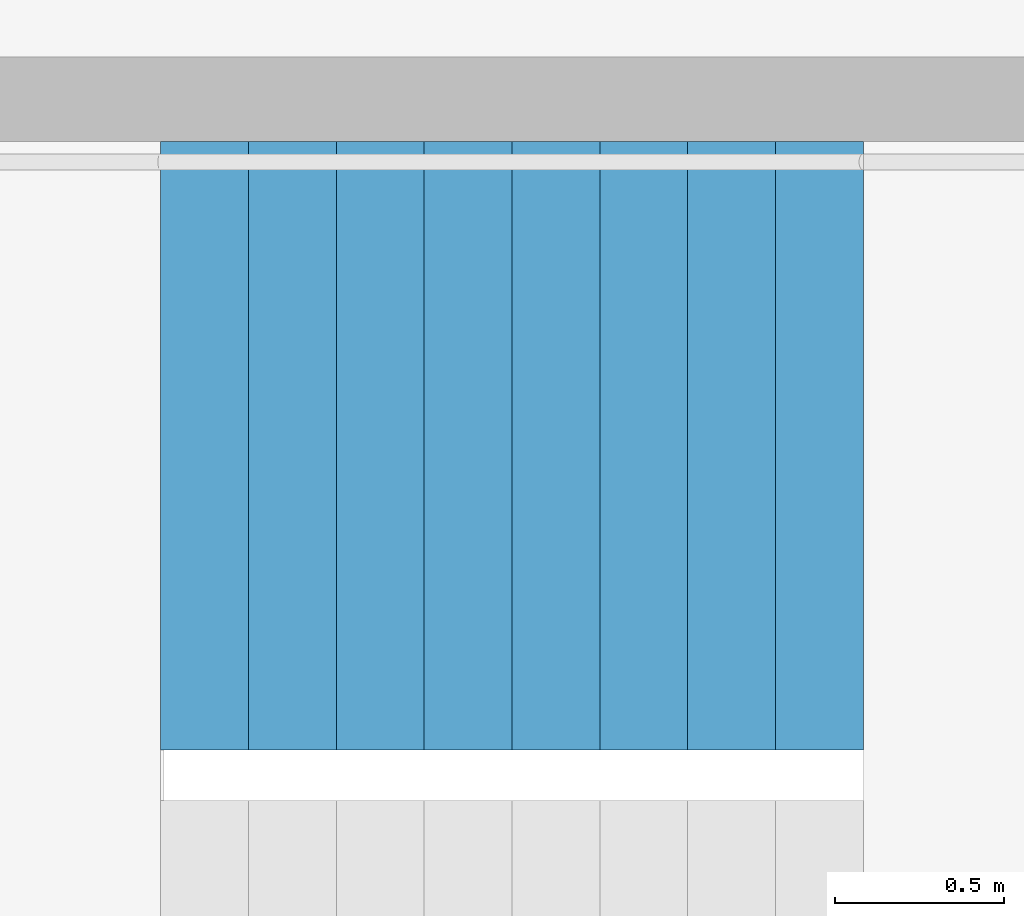
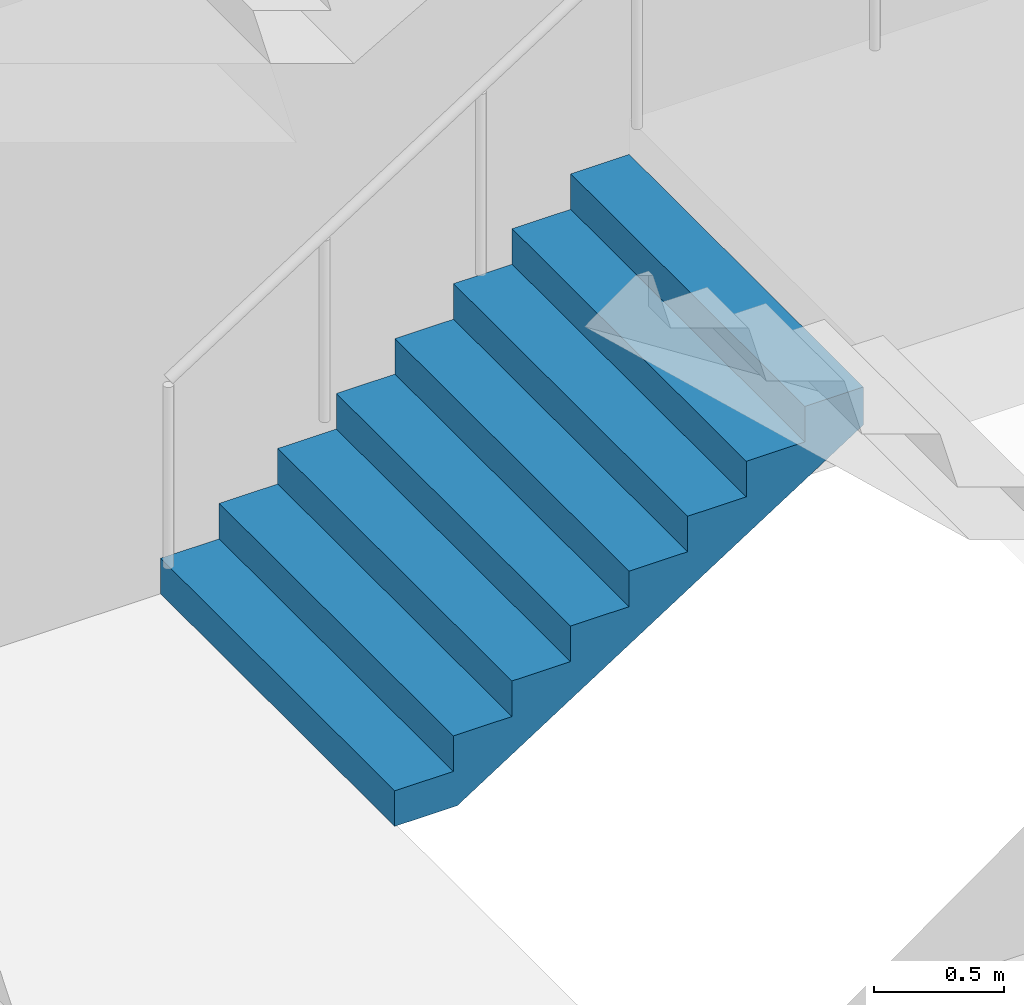
# One storey, part 28 of 35: 1 stair flight, 1 element without a shape of its own.
"""IFC4 building model written with IfcOpenShell, lengths in metres."""

from ifc_helpers import new_model, si_unit, direction, frame, origin, place, context, subcontext, project, spatial, triangles, material, type_object, element, aggregate, save


model = new_model("IFC4")

# Units and contexts
model_context = context("Model", 3, precision=1e-05, world=origin(), true_north=direction((0.0, 1.0)))
body_context = subcontext(model_context, "Body", "Model", "MODEL_VIEW")
ifc_project = project(units=[si_unit("LENGTHUNIT", "METRE"), si_unit("AREAUNIT", "SQUARE_METRE"), si_unit("VOLUMEUNIT", "CUBIC_METRE"), si_unit("PLANEANGLEUNIT", "RADIAN"), si_unit("MASSUNIT", "GRAM", prefix="KILO")], contexts=[model_context])

# Site, building, storey
site_placement = place(None, origin())
site = spatial("IfcSite", under=ifc_project, at=site_placement, CompositionType="ELEMENT")
building_placement = place(site_placement, origin())
building = spatial("IfcBuilding", under=site, at=building_placement, Name="Hakoniwa Tower and Hamabe Station Hall", CompositionType="ELEMENT")
storey_placement = place(building_placement, frame((0.0, 0.0, 270.60009765625)))
storey = spatial("IfcBuildingStorey", under=building, at=storey_placement, Name="L76", CompositionType="ELEMENT", Elevation=270.60009765625)

# Stair, stair flight
ifc_material_1 = material(Name="Concrete C40", Category="concrete")
stair_type = type_object("IfcStairType", Name="ESCAPE STAIR 1800", PredefinedType="HALF_TURN_STAIR", material=ifc_material_1)
stair_placement = place(storey_placement, origin())
stair = element("IfcStair", 1, at=stair_placement, inside=storey, type_object=stair_type, Name="Escape stair ST-4 L76", PredefinedType="HALF_TURN_STAIR")
ifc_material_2 = material(Name="Concrete C40", Category="concrete")
stair_flight_type = type_object("IfcStairFlightType", Name="STAIR FLIGHT 1800", PredefinedType="STRAIGHT", material=ifc_material_2)
stair_flight_placement = place(storey_placement, frame((23.39990234375, -4.64990234375, 0.0), z_axis=(0.0, 0.0, 1.0), x_axis=(1.0, 0.0, 0.0)))
stair_flight = element("IfcStairFlight", 2, at=stair_flight_placement, type_object=stair_flight_type, Name="ST-4 flight 1", NumberOfRisers=9, NumberOfTreads=8, PredefinedType="STRAIGHT", RiserHeight=0.166666667, TreadLength=0.26, context=body_context, shape_type="Tessellation", body=[
    triangles([(0.0, 0.89990234375, 0.0), (0.260009765625, 0.89990234375, 0.0), (0.27783203125, 0.89990234375, 0.0), (0.52001953125, 0.89990234375, 0.1552734375), (0.780029296875, 0.89990234375, 0.322021484375), (1.0400390625, 0.89990234375, 0.488525390625), (1.300048828125, 0.89990234375, 0.6552734375), (1.56005859375, 0.89990234375, 0.822021484375), (1.820068359375, 0.89990234375, 0.988525390625), (2.080078125, 0.89990234375, 1.1552734375), (2.080078125, 0.89990234375, 1.333251953125), (1.820068359375, 0.89990234375, 1.333251953125), (1.820068359375, 0.89990234375, 1.166748046875), (1.56005859375, 0.89990234375, 1.166748046875), (1.56005859375, 0.89990234375, 1.0), (1.300048828125, 0.89990234375, 1.0), (1.300048828125, 0.89990234375, 0.833251953125), (1.0400390625, 0.89990234375, 0.833251953125), (1.0400390625, 0.89990234375, 0.666748046875), (0.780029296875, 0.89990234375, 0.666748046875), (0.780029296875, 0.89990234375, 0.5), (0.52001953125, 0.89990234375, 0.5), (0.52001953125, 0.89990234375, 0.333251953125), (0.27783203125, 0.89990234375, 0.333251953125), (0.260009765625, 0.89990234375, 0.333251953125), (0.260009765625, 0.89990234375, 0.166748046875), (0.0, 0.89990234375, 0.166748046875), (0.0, 0.06005859375, 0.0), (0.260009765625, 0.06005859375, 0.0), (0.27783203125, 0.06005859375, 0.0), (0.52001953125, 0.06005859375, 0.1552734375), (0.780029296875, 0.06005859375, 0.322021484375), (1.0400390625, 0.06005859375, 0.488525390625), (1.300048828125, 0.06005859375, 0.6552734375), (1.56005859375, 0.06005859375, 0.822021484375), (1.820068359375, 0.06005859375, 0.988525390625), (2.080078125, 0.06005859375, 1.1552734375), (2.080078125, 0.06005859375, 1.333251953125), (1.820068359375, 0.06005859375, 1.333251953125), (1.820068359375, 0.06005859375, 1.166748046875), (1.56005859375, 0.06005859375, 1.166748046875), (1.56005859375, 0.06005859375, 1.0), (1.300048828125, 0.06005859375, 1.0), (1.300048828125, 0.06005859375, 0.833251953125), (1.0400390625, 0.06005859375, 0.833251953125), (1.0400390625, 0.06005859375, 0.666748046875), (0.780029296875, 0.06005859375, 0.666748046875), (0.780029296875, 0.06005859375, 0.5), (0.52001953125, 0.06005859375, 0.5), (0.52001953125, 0.06005859375, 0.333251953125), (0.27783203125, 0.06005859375, 0.333251953125), (0.260009765625, 0.06005859375, 0.333251953125), (0.260009765625, 0.06005859375, 0.166748046875), (0.0, 0.06005859375, 0.166748046875), (0.0, 0.04296875, 0.0), (0.260009765625, 0.04296875, 0.0), (0.27783203125, 0.04296875, 0.0), (0.52001953125, 0.04296875, 0.1552734375), (0.780029296875, 0.04296875, 0.322021484375), (1.0400390625, 0.04296875, 0.488525390625), (1.300048828125, 0.04296875, 0.6552734375), (1.56005859375, 0.04296875, 0.822021484375), (1.820068359375, 0.04296875, 0.988525390625), (2.080078125, 0.04296875, 1.1552734375), (2.080078125, 0.04296875, 1.333251953125), (1.820068359375, 0.04296875, 1.333251953125), (1.820068359375, 0.04296875, 1.166748046875), (1.56005859375, 0.04296875, 1.166748046875), (1.56005859375, 0.04296875, 1.0), (1.300048828125, 0.04296875, 1.0), (1.300048828125, 0.04296875, 0.833251953125), (1.0400390625, 0.04296875, 0.833251953125), (1.0400390625, 0.04296875, 0.666748046875), (0.780029296875, 0.04296875, 0.666748046875), (0.780029296875, 0.04296875, 0.5), (0.52001953125, 0.04296875, 0.5), (0.52001953125, 0.04296875, 0.333251953125), (0.27783203125, 0.04296875, 0.333251953125), (0.260009765625, 0.04296875, 0.333251953125), (0.260009765625, 0.04296875, 0.166748046875), (0.0, 0.04296875, 0.166748046875), (0.0, 0.025634765625, 0.0), (0.260009765625, 0.025634765625, 0.0), (0.27783203125, 0.025634765625, 0.0), (0.52001953125, 0.025634765625, 0.1552734375), (0.780029296875, 0.025634765625, 0.322021484375), (1.0400390625, 0.025634765625, 0.488525390625), (1.300048828125, 0.025634765625, 0.6552734375), (1.56005859375, 0.025634765625, 0.822021484375), (1.820068359375, 0.025634765625, 0.988525390625), (2.080078125, 0.025634765625, 1.1552734375), (2.080078125, 0.025634765625, 1.333251953125), (1.820068359375, 0.025634765625, 1.333251953125), (1.820068359375, 0.025634765625, 1.166748046875), (1.56005859375, 0.025634765625, 1.166748046875), (1.56005859375, 0.025634765625, 1.0), (1.300048828125, 0.025634765625, 1.0), (1.300048828125, 0.025634765625, 0.833251953125), (1.0400390625, 0.025634765625, 0.833251953125), (1.0400390625, 0.025634765625, 0.666748046875), (0.780029296875, 0.025634765625, 0.666748046875), (0.780029296875, 0.025634765625, 0.5), (0.52001953125, 0.025634765625, 0.5), (0.52001953125, 0.025634765625, 0.333251953125), (0.27783203125, 0.025634765625, 0.333251953125), (0.260009765625, 0.025634765625, 0.333251953125), (0.260009765625, 0.025634765625, 0.166748046875), (0.0, 0.025634765625, 0.166748046875), (0.0, 0.008544921875, 0.0), (0.260009765625, 0.008544921875, 0.0), (0.27783203125, 0.008544921875, 0.0), (0.52001953125, 0.008544921875, 0.1552734375), (0.780029296875, 0.008544921875, 0.322021484375), (1.0400390625, 0.008544921875, 0.488525390625), (1.300048828125, 0.008544921875, 0.6552734375), (1.56005859375, 0.008544921875, 0.822021484375), (1.820068359375, 0.008544921875, 0.988525390625), (2.080078125, 0.008544921875, 1.1552734375), (2.080078125, 0.008544921875, 1.333251953125), (1.820068359375, 0.008544921875, 1.333251953125), (1.820068359375, 0.008544921875, 1.166748046875), (1.56005859375, 0.008544921875, 1.166748046875), (1.56005859375, 0.008544921875, 1.0), (1.300048828125, 0.008544921875, 1.0), (1.300048828125, 0.008544921875, 0.833251953125), (1.0400390625, 0.008544921875, 0.833251953125), (1.0400390625, 0.008544921875, 0.666748046875), (0.780029296875, 0.008544921875, 0.666748046875), (0.780029296875, 0.008544921875, 0.5), (0.52001953125, 0.008544921875, 0.5), (0.52001953125, 0.008544921875, 0.333251953125), (0.27783203125, 0.008544921875, 0.333251953125), (0.260009765625, 0.008544921875, 0.333251953125), (0.260009765625, 0.008544921875, 0.166748046875), (0.0, 0.008544921875, 0.166748046875), (0.0, -0.008544921875, 0.0), (0.260009765625, -0.008544921875, 0.0), (0.27783203125, -0.008544921875, 0.0), (0.52001953125, -0.008544921875, 0.1552734375), (0.780029296875, -0.008544921875, 0.322021484375), (1.0400390625, -0.008544921875, 0.488525390625), (1.300048828125, -0.008544921875, 0.6552734375), (1.56005859375, -0.008544921875, 0.822021484375), (1.820068359375, -0.008544921875, 0.988525390625), (2.080078125, -0.008544921875, 1.1552734375), (2.080078125, -0.008544921875, 1.333251953125), (1.820068359375, -0.008544921875, 1.333251953125), (1.820068359375, -0.008544921875, 1.166748046875), (1.56005859375, -0.008544921875, 1.166748046875), (1.56005859375, -0.008544921875, 1.0), (1.300048828125, -0.008544921875, 1.0), (1.300048828125, -0.008544921875, 0.833251953125), (1.0400390625, -0.008544921875, 0.833251953125), (1.0400390625, -0.008544921875, 0.666748046875), (0.780029296875, -0.008544921875, 0.666748046875), (0.780029296875, -0.008544921875, 0.5), (0.52001953125, -0.008544921875, 0.5), (0.52001953125, -0.008544921875, 0.333251953125), (0.27783203125, -0.008544921875, 0.333251953125), (0.260009765625, -0.008544921875, 0.333251953125), (0.260009765625, -0.008544921875, 0.166748046875), (0.0, -0.008544921875, 0.166748046875), (0.0, -0.025634765625, 0.0), (0.260009765625, -0.025634765625, 0.0), (0.27783203125, -0.025634765625, 0.0), (0.52001953125, -0.025634765625, 0.1552734375), (0.780029296875, -0.025634765625, 0.322021484375), (1.0400390625, -0.025634765625, 0.488525390625), (1.300048828125, -0.025634765625, 0.6552734375), (1.56005859375, -0.025634765625, 0.822021484375), (1.820068359375, -0.025634765625, 0.988525390625), (2.080078125, -0.025634765625, 1.1552734375), (2.080078125, -0.025634765625, 1.333251953125), (1.820068359375, -0.025634765625, 1.333251953125), (1.820068359375, -0.025634765625, 1.166748046875), (1.56005859375, -0.025634765625, 1.166748046875), (1.56005859375, -0.025634765625, 1.0), (1.300048828125, -0.025634765625, 1.0), (1.300048828125, -0.025634765625, 0.833251953125), (1.0400390625, -0.025634765625, 0.833251953125), (1.0400390625, -0.025634765625, 0.666748046875), (0.780029296875, -0.025634765625, 0.666748046875), (0.780029296875, -0.025634765625, 0.5), (0.52001953125, -0.025634765625, 0.5), (0.52001953125, -0.025634765625, 0.333251953125), (0.27783203125, -0.025634765625, 0.333251953125), (0.260009765625, -0.025634765625, 0.333251953125), (0.260009765625, -0.025634765625, 0.166748046875), (0.0, -0.025634765625, 0.166748046875), (0.0, -0.04296875, 0.0), (0.260009765625, -0.04296875, 0.0), (0.27783203125, -0.04296875, 0.0), (0.52001953125, -0.04296875, 0.1552734375), (0.780029296875, -0.04296875, 0.322021484375), (1.0400390625, -0.04296875, 0.488525390625), (1.300048828125, -0.04296875, 0.6552734375), (1.56005859375, -0.04296875, 0.822021484375), (1.820068359375, -0.04296875, 0.988525390625), (2.080078125, -0.04296875, 1.1552734375), (2.080078125, -0.04296875, 1.333251953125), (1.820068359375, -0.04296875, 1.333251953125), (1.820068359375, -0.04296875, 1.166748046875), (1.56005859375, -0.04296875, 1.166748046875), (1.56005859375, -0.04296875, 1.0), (1.300048828125, -0.04296875, 1.0), (1.300048828125, -0.04296875, 0.833251953125), (1.0400390625, -0.04296875, 0.833251953125), (1.0400390625, -0.04296875, 0.666748046875), (0.780029296875, -0.04296875, 0.666748046875), (0.780029296875, -0.04296875, 0.5), (0.52001953125, -0.04296875, 0.5), (0.52001953125, -0.04296875, 0.333251953125), (0.27783203125, -0.04296875, 0.333251953125), (0.260009765625, -0.04296875, 0.333251953125), (0.260009765625, -0.04296875, 0.166748046875), (0.0, -0.04296875, 0.166748046875), (0.0, -0.06005859375, 0.0), (0.260009765625, -0.06005859375, 0.0), (0.27783203125, -0.06005859375, 0.0), (0.52001953125, -0.06005859375, 0.1552734375), (0.780029296875, -0.06005859375, 0.322021484375), (1.0400390625, -0.06005859375, 0.488525390625), (1.300048828125, -0.06005859375, 0.6552734375), (1.56005859375, -0.06005859375, 0.822021484375), (1.820068359375, -0.06005859375, 0.988525390625), (2.080078125, -0.06005859375, 1.1552734375), (2.080078125, -0.06005859375, 1.333251953125), (1.820068359375, -0.06005859375, 1.333251953125), (1.820068359375, -0.06005859375, 1.166748046875), (1.56005859375, -0.06005859375, 1.166748046875), (1.56005859375, -0.06005859375, 1.0), (1.300048828125, -0.06005859375, 1.0), (1.300048828125, -0.06005859375, 0.833251953125), (1.0400390625, -0.06005859375, 0.833251953125), (1.0400390625, -0.06005859375, 0.666748046875), (0.780029296875, -0.06005859375, 0.666748046875), (0.780029296875, -0.06005859375, 0.5), (0.52001953125, -0.06005859375, 0.5), (0.52001953125, -0.06005859375, 0.333251953125), (0.27783203125, -0.06005859375, 0.333251953125), (0.260009765625, -0.06005859375, 0.333251953125), (0.260009765625, -0.06005859375, 0.166748046875), (0.0, -0.06005859375, 0.166748046875), (0.0, -0.89990234375, 0.0), (0.260009765625, -0.89990234375, 0.0), (0.27783203125, -0.89990234375, 0.0), (0.52001953125, -0.89990234375, 0.1552734375), (0.780029296875, -0.89990234375, 0.322021484375), (1.0400390625, -0.89990234375, 0.488525390625), (1.300048828125, -0.89990234375, 0.6552734375), (1.56005859375, -0.89990234375, 0.822021484375), (1.820068359375, -0.89990234375, 0.988525390625), (2.080078125, -0.89990234375, 1.1552734375), (2.080078125, -0.89990234375, 1.333251953125), (1.820068359375, -0.89990234375, 1.333251953125), (1.820068359375, -0.89990234375, 1.166748046875), (1.56005859375, -0.89990234375, 1.166748046875), (1.56005859375, -0.89990234375, 1.0), (1.300048828125, -0.89990234375, 1.0), (1.300048828125, -0.89990234375, 0.833251953125), (1.0400390625, -0.89990234375, 0.833251953125), (1.0400390625, -0.89990234375, 0.666748046875), (0.780029296875, -0.89990234375, 0.666748046875), (0.780029296875, -0.89990234375, 0.5), (0.52001953125, -0.89990234375, 0.5), (0.52001953125, -0.89990234375, 0.333251953125), (0.27783203125, -0.89990234375, 0.333251953125), (0.260009765625, -0.89990234375, 0.333251953125), (0.260009765625, -0.89990234375, 0.166748046875), (0.0, -0.89990234375, 0.166748046875)], [[2, 27, 26], [245, 269, 270], [2, 1, 27], [245, 270, 244], [3, 25, 24], [246, 267, 268], [3, 26, 25], [246, 268, 269], [3, 2, 26], [246, 269, 245], [4, 24, 23], [247, 266, 267], [4, 3, 24], [247, 267, 246], [5, 22, 21], [248, 264, 265], [5, 23, 22], [248, 265, 266], [5, 4, 23], [248, 266, 247], [6, 20, 19], [249, 262, 263], [6, 21, 20], [249, 263, 264], [6, 5, 21], [249, 264, 248], [7, 18, 17], [250, 260, 261], [7, 19, 18], [250, 261, 262], [7, 6, 19], [250, 262, 249], [8, 16, 15], [251, 258, 259], [8, 17, 16], [251, 259, 260], [8, 7, 17], [251, 260, 250], [9, 14, 13], [252, 256, 257], [9, 15, 14], [252, 257, 258], [9, 8, 15], [252, 258, 251], [10, 12, 11], [253, 254, 255], [10, 13, 12], [253, 255, 256], [10, 9, 13], [253, 256, 252], [1, 2, 29], [1, 29, 28], [28, 29, 56], [28, 56, 55], [55, 56, 83], [55, 83, 82], [82, 83, 110], [82, 110, 109], [109, 110, 137], [109, 137, 136], [136, 137, 164], [136, 164, 163], [163, 164, 191], [163, 191, 190], [190, 191, 218], [190, 218, 217], [217, 218, 245], [217, 245, 244], [2, 3, 30], [2, 30, 29], [29, 30, 57], [29, 57, 56], [56, 57, 84], [56, 84, 83], [83, 84, 111], [83, 111, 110], [110, 111, 138], [110, 138, 137], [137, 138, 165], [137, 165, 164], [164, 165, 192], [164, 192, 191], [191, 192, 219], [191, 219, 218], [218, 219, 246], [218, 246, 245], [3, 4, 31], [3, 31, 30], [30, 31, 58], [30, 58, 57], [57, 58, 85], [57, 85, 84], [84, 85, 112], [84, 112, 111], [111, 112, 139], [111, 139, 138], [138, 139, 166], [138, 166, 165], [165, 166, 193], [165, 193, 192], [192, 193, 220], [192, 220, 219], [219, 220, 247], [219, 247, 246], [4, 5, 32], [4, 32, 31], [31, 32, 59], [31, 59, 58], [58, 59, 86], [58, 86, 85], [85, 86, 113], [85, 113, 112], [112, 113, 140], [112, 140, 139], [139, 140, 167], [139, 167, 166], [166, 167, 194], [166, 194, 193], [193, 194, 221], [193, 221, 220], [220, 221, 248], [220, 248, 247], [5, 6, 33], [5, 33, 32], [32, 33, 60], [32, 60, 59], [59, 60, 87], [59, 87, 86], [86, 87, 114], [86, 114, 113], [113, 114, 141], [113, 141, 140], [140, 141, 168], [140, 168, 167], [167, 168, 195], [167, 195, 194], [194, 195, 222], [194, 222, 221], [221, 222, 249], [221, 249, 248], [6, 7, 34], [6, 34, 33], [33, 34, 61], [33, 61, 60], [60, 61, 88], [60, 88, 87], [87, 88, 115], [87, 115, 114], [114, 115, 142], [114, 142, 141], [141, 142, 169], [141, 169, 168], [168, 169, 196], [168, 196, 195], [195, 196, 223], [195, 223, 222], [222, 223, 250], [222, 250, 249], [7, 8, 35], [7, 35, 34], [34, 35, 62], [34, 62, 61], [61, 62, 89], [61, 89, 88], [88, 89, 116], [88, 116, 115], [115, 116, 143], [115, 143, 142], [142, 143, 170], [142, 170, 169], [169, 170, 197], [169, 197, 196], [196, 197, 224], [196, 224, 223], [223, 224, 251], [223, 251, 250], [8, 9, 36], [8, 36, 35], [35, 36, 63], [35, 63, 62], [62, 63, 90], [62, 90, 89], [89, 90, 117], [89, 117, 116], [116, 117, 144], [116, 144, 143], [143, 144, 171], [143, 171, 170], [170, 171, 198], [170, 198, 197], [197, 198, 225], [197, 225, 224], [224, 225, 252], [224, 252, 251], [9, 10, 37], [9, 37, 36], [36, 37, 64], [36, 64, 63], [63, 64, 91], [63, 91, 90], [90, 91, 118], [90, 118, 117], [117, 118, 145], [117, 145, 144], [144, 145, 172], [144, 172, 171], [171, 172, 199], [171, 199, 198], [198, 199, 226], [198, 226, 225], [225, 226, 253], [225, 253, 252], [10, 11, 38], [10, 38, 37], [37, 38, 65], [37, 65, 64], [64, 65, 92], [64, 92, 91], [91, 92, 119], [91, 119, 118], [118, 119, 146], [118, 146, 145], [145, 146, 173], [145, 173, 172], [172, 173, 200], [172, 200, 199], [199, 200, 227], [199, 227, 226], [226, 227, 254], [226, 254, 253], [11, 12, 39], [11, 39, 38], [38, 39, 66], [38, 66, 65], [65, 66, 93], [65, 93, 92], [92, 93, 120], [92, 120, 119], [119, 120, 147], [119, 147, 146], [146, 147, 174], [146, 174, 173], [173, 174, 201], [173, 201, 200], [200, 201, 228], [200, 228, 227], [227, 228, 255], [227, 255, 254], [12, 13, 40], [12, 40, 39], [39, 40, 67], [39, 67, 66], [66, 67, 94], [66, 94, 93], [93, 94, 121], [93, 121, 120], [120, 121, 148], [120, 148, 147], [147, 148, 175], [147, 175, 174], [174, 175, 202], [174, 202, 201], [201, 202, 229], [201, 229, 228], [228, 229, 256], [228, 256, 255], [13, 14, 41], [13, 41, 40], [40, 41, 68], [40, 68, 67], [67, 68, 95], [67, 95, 94], [94, 95, 122], [94, 122, 121], [121, 122, 149], [121, 149, 148], [148, 149, 176], [148, 176, 175], [175, 176, 203], [175, 203, 202], [202, 203, 230], [202, 230, 229], [229, 230, 257], [229, 257, 256], [14, 15, 42], [14, 42, 41], [41, 42, 69], [41, 69, 68], [68, 69, 96], [68, 96, 95], [95, 96, 123], [95, 123, 122], [122, 123, 150], [122, 150, 149], [149, 150, 177], [149, 177, 176], [176, 177, 204], [176, 204, 203], [203, 204, 231], [203, 231, 230], [230, 231, 258], [230, 258, 257], [15, 16, 43], [15, 43, 42], [42, 43, 70], [42, 70, 69], [69, 70, 97], [69, 97, 96], [96, 97, 124], [96, 124, 123], [123, 124, 151], [123, 151, 150], [150, 151, 178], [150, 178, 177], [177, 178, 205], [177, 205, 204], [204, 205, 232], [204, 232, 231], [231, 232, 259], [231, 259, 258], [16, 17, 44], [16, 44, 43], [43, 44, 71], [43, 71, 70], [70, 71, 98], [70, 98, 97], [97, 98, 125], [97, 125, 124], [124, 125, 152], [124, 152, 151], [151, 152, 179], [151, 179, 178], [178, 179, 206], [178, 206, 205], [205, 206, 233], [205, 233, 232], [232, 233, 260], [232, 260, 259], [17, 18, 45], [17, 45, 44], [44, 45, 72], [44, 72, 71], [71, 72, 99], [71, 99, 98], [98, 99, 126], [98, 126, 125], [125, 126, 153], [125, 153, 152], [152, 153, 180], [152, 180, 179], [179, 180, 207], [179, 207, 206], [206, 207, 234], [206, 234, 233], [233, 234, 261], [233, 261, 260], [18, 19, 46], [18, 46, 45], [45, 46, 73], [45, 73, 72], [72, 73, 100], [72, 100, 99], [99, 100, 127], [99, 127, 126], [126, 127, 154], [126, 154, 153], [153, 154, 181], [153, 181, 180], [180, 181, 208], [180, 208, 207], [207, 208, 235], [207, 235, 234], [234, 235, 262], [234, 262, 261], [19, 20, 47], [19, 47, 46], [46, 47, 74], [46, 74, 73], [73, 74, 101], [73, 101, 100], [100, 101, 128], [100, 128, 127], [127, 128, 155], [127, 155, 154], [154, 155, 182], [154, 182, 181], [181, 182, 209], [181, 209, 208], [208, 209, 236], [208, 236, 235], [235, 236, 263], [235, 263, 262], [20, 21, 48], [20, 48, 47], [47, 48, 75], [47, 75, 74], [74, 75, 102], [74, 102, 101], [101, 102, 129], [101, 129, 128], [128, 129, 156], [128, 156, 155], [155, 156, 183], [155, 183, 182], [182, 183, 210], [182, 210, 209], [209, 210, 237], [209, 237, 236], [236, 237, 264], [236, 264, 263], [21, 22, 49], [21, 49, 48], [48, 49, 76], [48, 76, 75], [75, 76, 103], [75, 103, 102], [102, 103, 130], [102, 130, 129], [129, 130, 157], [129, 157, 156], [156, 157, 184], [156, 184, 183], [183, 184, 211], [183, 211, 210], [210, 211, 238], [210, 238, 237], [237, 238, 265], [237, 265, 264], [22, 23, 50], [22, 50, 49], [49, 50, 77], [49, 77, 76], [76, 77, 104], [76, 104, 103], [103, 104, 131], [103, 131, 130], [130, 131, 158], [130, 158, 157], [157, 158, 185], [157, 185, 184], [184, 185, 212], [184, 212, 211], [211, 212, 239], [211, 239, 238], [238, 239, 266], [238, 266, 265], [23, 24, 51], [23, 51, 50], [50, 51, 78], [50, 78, 77], [77, 78, 105], [77, 105, 104], [104, 105, 132], [104, 132, 131], [131, 132, 159], [131, 159, 158], [158, 159, 186], [158, 186, 185], [185, 186, 213], [185, 213, 212], [212, 213, 240], [212, 240, 239], [239, 240, 267], [239, 267, 266], [24, 25, 52], [24, 52, 51], [51, 52, 79], [51, 79, 78], [78, 79, 106], [78, 106, 105], [105, 106, 133], [105, 133, 132], [132, 133, 160], [132, 160, 159], [159, 160, 187], [159, 187, 186], [186, 187, 214], [186, 214, 213], [213, 214, 241], [213, 241, 240], [240, 241, 268], [240, 268, 267], [25, 26, 53], [25, 53, 52], [52, 53, 80], [52, 80, 79], [79, 80, 107], [79, 107, 106], [106, 107, 134], [106, 134, 133], [133, 134, 161], [133, 161, 160], [160, 161, 188], [160, 188, 187], [187, 188, 215], [187, 215, 214], [214, 215, 242], [214, 242, 241], [241, 242, 269], [241, 269, 268], [26, 27, 54], [26, 54, 53], [53, 54, 81], [53, 81, 80], [80, 81, 108], [80, 108, 107], [107, 108, 135], [107, 135, 134], [134, 135, 162], [134, 162, 161], [161, 162, 189], [161, 189, 188], [188, 189, 216], [188, 216, 215], [215, 216, 243], [215, 243, 242], [242, 243, 270], [242, 270, 269], [27, 1, 28], [27, 28, 54], [54, 28, 55], [54, 55, 81], [81, 55, 82], [81, 82, 108], [108, 82, 109], [108, 109, 135], [135, 109, 136], [135, 136, 162], [162, 136, 163], [162, 163, 189], [189, 163, 190], [189, 190, 216], [216, 190, 217], [216, 217, 243], [243, 217, 244], [243, 244, 270]], closed=True),
])
aggregate(stair, [stair_flight])

save(model, "model.ifc")
